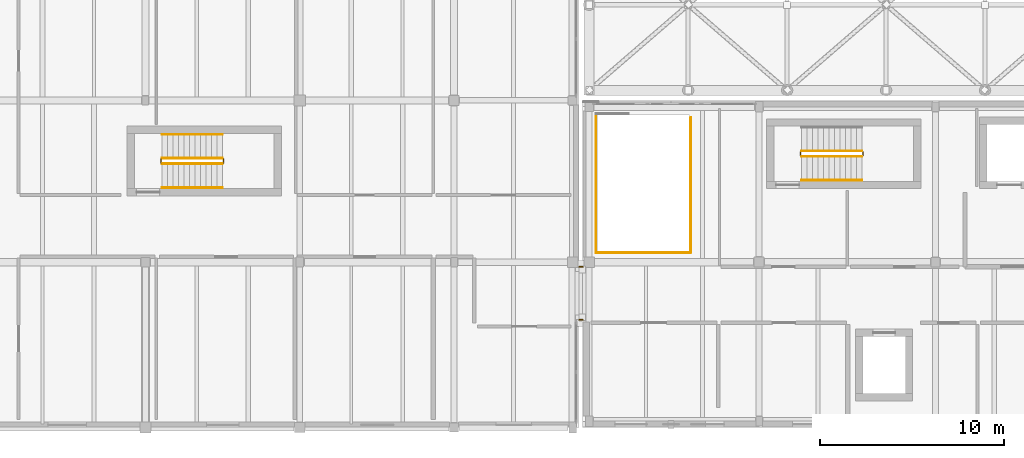
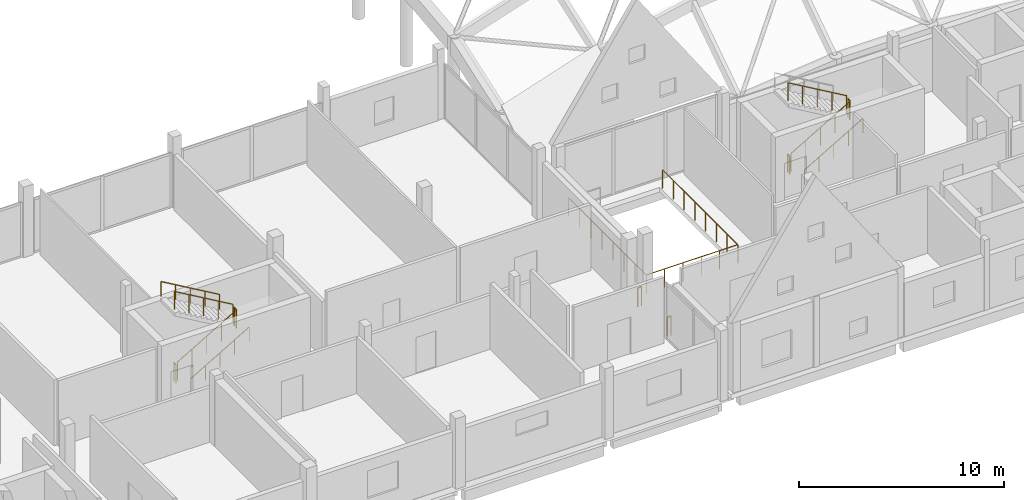
# One storey, part 33 of 41: 16 railings.
"""IFC4 building model written with IfcOpenShell, lengths in metres."""

from ifc_helpers import new_model, si_unit, direction, frame, origin, origin_2d, place, context, subcontext, project, spatial, circle, extrude, material, type_object, element, save


model = new_model("IFC4")

# Units and contexts
model_context = context("Model", 3, precision=1e-05, world=origin(), true_north=direction((0.0, 1.0)))
body_context = subcontext(model_context, "Body", "Model", "MODEL_VIEW")
ifc_project = project(units=[si_unit("LENGTHUNIT", "METRE"), si_unit("AREAUNIT", "SQUARE_METRE"), si_unit("VOLUMEUNIT", "CUBIC_METRE"), si_unit("PLANEANGLEUNIT", "RADIAN"), si_unit("MASSUNIT", "GRAM", prefix="KILO")], contexts=[model_context])

# Site, building, storey
site_placement = place(None, origin())
site = spatial("IfcSite", under=ifc_project, at=site_placement, CompositionType="ELEMENT")
building_placement = place(site_placement, origin())
building = spatial("IfcBuilding", under=site, at=building_placement, Name="Birchvale Park Specialist Clinic", CompositionType="ELEMENT")
storey_placement = place(building_placement, frame((0.0, 0.0, 9.60009765625)))
storey = spatial("IfcBuildingStorey", under=building, at=storey_placement, Name="L02", CompositionType="ELEMENT", Elevation=9.60009765625)

# Railings
ifc_material_1 = material(Name="Brushed stainless steel and laminated glass balustrade", Category="steel")
railing_type_1 = type_object("IfcRailingType", Name="RL-BAL1", PredefinedType="BALUSTRADE", material=ifc_material_1)
railing_1_placement = place(storey_placement, frame((52.52001953125, 26.320068359375, 0.0)))
element("IfcRailing", 1, at=railing_1_placement, inside=storey, type_object=railing_type_1, Name="V4 L02 atrium void balustrade 25", PredefinedType="BALUSTRADE", context=body_context, shape_type="SweptSolid", body=[
    extrude(circle(Radius=0.02392578125, at=origin_2d()), frame((0.0, 0.0, 1.09619140625), z_axis=(1.0, 0.0, 0.0), x_axis=(0.0, 1.0, 0.0)), (0.0, 0.0, 1.0), 5.159912109375),
    extrude(circle(Radius=0.02099609375, at=origin_2d()), origin(), (0.0, 0.0, 1.0), 1.072021484375),
    extrude(circle(Radius=0.02099609375, at=origin_2d()), frame((1.031982421875, 0.0, 0.0)), (0.0, 0.0, 1.0), 1.072021484375),
    extrude(circle(Radius=0.02099609375, at=origin_2d()), frame((2.06396484375, 0.0, 0.0)), (0.0, 0.0, 1.0), 1.072021484375),
    extrude(circle(Radius=0.02099609375, at=origin_2d()), frame((3.095947265625, 0.0, 0.0)), (0.0, 0.0, 1.0), 1.072021484375),
    extrude(circle(Radius=0.02099609375, at=origin_2d()), frame((4.1279296875, 0.0, 0.0)), (0.0, 0.0, 1.0), 1.072021484375),
    extrude(circle(Radius=0.02099609375, at=origin_2d()), frame((5.159912109375, 0.0, 0.0)), (0.0, 0.0, 1.0), 1.072021484375),
])
railing_2_placement = place(storey_placement, frame((57.679931640625, 26.320068359375, 0.0)))
element("IfcRailing", 2, at=railing_2_placement, inside=storey, type_object=railing_type_1, Name="V4 L02 atrium void balustrade 26", PredefinedType="BALUSTRADE", context=body_context, shape_type="SweptSolid", body=[
    extrude(circle(Radius=0.02392578125, at=origin_2d()), frame((0.0, 0.0, 1.09619140625), z_axis=(0.0, 1.0, 0.0), x_axis=(-1.0, 0.0, 0.0)), (0.0, 0.0, 1.0), 7.3349609375),
    extrude(circle(Radius=0.02099609375, at=origin_2d()), origin(), (0.0, 0.0, 1.0), 1.072021484375),
    extrude(circle(Radius=0.02099609375, at=origin_2d()), frame((0.0, 1.0478515625, 0.0)), (0.0, 0.0, 1.0), 1.072021484375),
    extrude(circle(Radius=0.02099609375, at=origin_2d()), frame((0.0, 2.095703125, 0.0)), (0.0, 0.0, 1.0), 1.072021484375),
    extrude(circle(Radius=0.02099609375, at=origin_2d()), frame((0.0, 3.1435546875, 0.0)), (0.0, 0.0, 1.0), 1.072021484375),
    extrude(circle(Radius=0.02099609375, at=origin_2d()), frame((0.0, 4.19140625, 0.0)), (0.0, 0.0, 1.0), 1.072021484375),
    extrude(circle(Radius=0.02099609375, at=origin_2d()), frame((0.0, 5.2392578125, 0.0)), (0.0, 0.0, 1.0), 1.072021484375),
    extrude(circle(Radius=0.02099609375, at=origin_2d()), frame((0.0, 6.287109375, 0.0)), (0.0, 0.0, 1.0), 1.072021484375),
    extrude(circle(Radius=0.02099609375, at=origin_2d()), frame((0.0, 7.3349609375, 0.0)), (0.0, 0.0, 1.0), 1.072021484375),
])
railing_3_placement = place(storey_placement, frame((52.52001953125, 33.8798828125, 0.0)))
element("IfcRailing", 3, at=railing_3_placement, inside=storey, type_object=railing_type_1, Name="V4 L02 atrium void balustrade 28", PredefinedType="BALUSTRADE", context=body_context, shape_type="SweptSolid", body=[
    extrude(circle(Radius=0.02392578125, at=origin_2d()), frame((0.0, 0.0, 1.09619140625), z_axis=(0.0, -1.0, 0.0), x_axis=(1.0, 0.0, 0.0)), (0.0, 0.0, 1.0), 7.559814453125),
    extrude(circle(Radius=0.02099609375, at=origin_2d()), origin(), (0.0, 0.0, 1.0), 1.072021484375),
    extrude(circle(Radius=0.02099609375, at=origin_2d()), frame((0.0, -1.080078125, 0.0)), (0.0, 0.0, 1.0), 1.072021484375),
    extrude(circle(Radius=0.02099609375, at=origin_2d()), frame((0.0, -2.159912109375, 0.0)), (0.0, 0.0, 1.0), 1.072021484375),
    extrude(circle(Radius=0.02099609375, at=origin_2d()), frame((0.0, -3.239990234375, 0.0)), (0.0, 0.0, 1.0), 1.072021484375),
    extrude(circle(Radius=0.02099609375, at=origin_2d()), frame((0.0, -4.31982421875, 0.0)), (0.0, 0.0, 1.0), 1.072021484375),
    extrude(circle(Radius=0.02099609375, at=origin_2d()), frame((0.0, -5.39990234375, 0.0)), (0.0, 0.0, 1.0), 1.072021484375),
    extrude(circle(Radius=0.02099609375, at=origin_2d()), frame((0.0, -6.479736328125, 0.0)), (0.0, 0.0, 1.0), 1.072021484375),
    extrude(circle(Radius=0.02099609375, at=origin_2d()), frame((0.0, -7.559814453125, 0.0)), (0.0, 0.0, 1.0), 1.072021484375),
])
railing_type_2 = type_object("IfcRailingType", Name="RL-BAL2", PredefinedType="BALUSTRADE", material=ifc_material_1)
for number, where, name in (
    (4, (51.60009765625, 22.659912109375, 0.0), "L02 seismic joint bridge guard BRG-1.3"),
    (5, (51.60009765625, 25.5400390625, 0.0), "L02 seismic joint bridge guard BRG-1.4"),
):
    element("IfcRailing", number, at=place(storey_placement, frame(where)), inside=storey, type_object=railing_type_2, Name=name, PredefinedType="BALUSTRADE", context=body_context, shape_type="SweptSolid", body=[
        extrude(circle(Radius=0.02392578125, at=origin_2d()), frame((0.0, 0.0, 1.1259765625), z_axis=(1.0, 0.0, 0.0), x_axis=(0.0, 1.0, 0.0)), (0.0, 0.0, 1.0), 0.199951171875),
        extrude(circle(Radius=0.02099609375, at=origin_2d()), origin(), (0.0, 0.0, 1.0), 1.101806640625),
        extrude(circle(Radius=0.02099609375, at=origin_2d()), frame((0.199951171875, 0.0, 0.0)), (0.0, 0.0, 1.0), 1.101806640625),
    ])
ifc_material_2 = material(Name="Brushed stainless steel guard railing", Category="steel")
railing_type_3 = type_object("IfcRailingType", Name="RL-GRD1", PredefinedType="GUARDRAIL", material=ifc_material_2)
railing_4_placement = place(storey_placement, frame((28.89990234375, 31.14990234375, 0.1748046875)))
element("IfcRailing", 6, at=railing_4_placement, inside=storey, type_object=railing_type_3, Name="L02 ST2 stair guard 1", PredefinedType="GUARDRAIL", context=body_context, shape_type="SweptSolid", body=[
    extrude(circle(Radius=0.02392578125, at=origin_2d()), frame((0.0, 0.0, 1.076171875), z_axis=(0.863776583165, 0.0, 0.503874998761), x_axis=(0.0, 1.0, 0.0)), (0.0, 0.0, 1.0), 3.820556640625),
    extrude(circle(Radius=0.02099609375, at=origin_2d()), origin(), (0.0, 0.0, 1.0), 1.052001953125),
    extrude(circle(Radius=0.02099609375, at=origin_2d()), frame((0.824951171875, 0.0, 0.481201171875)), (0.0, 0.0, 1.0), 1.052001953125),
    extrude(circle(Radius=0.02099609375, at=origin_2d()), frame((1.64990234375, 0.0, 0.96240234375)), (0.0, 0.0, 1.0), 1.052001953125),
    extrude(circle(Radius=0.02099609375, at=origin_2d()), frame((2.47509765625, 0.0, 1.44384765625)), (0.0, 0.0, 1.0), 1.052001953125),
    extrude(circle(Radius=0.02099609375, at=origin_2d()), frame((3.300048828125, 0.0, 1.925048828125)), (0.0, 0.0, 1.0), 1.052001953125),
])
railing_5_placement = place(storey_placement, frame((32.25, 31.199951171875, 2.099853515625)))
element("IfcRailing", 7, at=railing_5_placement, inside=storey, type_object=railing_type_3, Name="L02 ST2 stair guard 2", PredefinedType="GUARDRAIL", context=body_context, shape_type="SweptSolid", body=[
    extrude(circle(Radius=0.02392578125, at=origin_2d()), frame((0.0, 0.0, 1.076171875), z_axis=(0.0, 1.0, 0.0), x_axis=(-1.0, 0.0, 0.0)), (0.0, 0.0, 1.0), 0.199951171875),
    extrude(circle(Radius=0.02099609375, at=origin_2d()), origin(), (0.0, 0.0, 1.0), 1.052001953125),
    extrude(circle(Radius=0.02099609375, at=origin_2d()), frame((0.0, 0.199951171875, 0.0)), (0.0, 0.0, 1.0), 1.052001953125),
])
railing_6_placement = place(storey_placement, frame((32.199951171875, 31.449951171875, 2.27490234375)))
element("IfcRailing", 8, at=railing_6_placement, inside=storey, type_object=railing_type_3, Name="L02 ST2 stair guard 3", PredefinedType="GUARDRAIL", context=body_context, shape_type="SweptSolid", body=[
    extrude(circle(Radius=0.02392578125, at=origin_2d()), frame((0.0, 0.0, 1.076171875), z_axis=(-0.863776583165, 0.0, 0.503874998761), x_axis=(0.0, -1.0, 0.0)), (0.0, 0.0, 1.0), 3.820556640625),
    extrude(circle(Radius=0.02099609375, at=origin_2d()), origin(), (0.0, 0.0, 1.0), 1.052001953125),
    extrude(circle(Radius=0.02099609375, at=origin_2d()), frame((-0.824951171875, 0.0, 0.481201171875)), (0.0, 0.0, 1.0), 1.052001953125),
    extrude(circle(Radius=0.02099609375, at=origin_2d()), frame((-1.64990234375, 0.0, 0.96240234375)), (0.0, 0.0, 1.0), 1.052001953125),
    extrude(circle(Radius=0.02099609375, at=origin_2d()), frame((-2.47509765625, 0.0, 1.44384765625)), (0.0, 0.0, 1.0), 1.052001953125),
    extrude(circle(Radius=0.02099609375, at=origin_2d()), frame((-3.300048828125, 0.0, 1.925048828125)), (0.0, 0.0, 1.0), 1.052001953125),
])
railing_7_placement = place(storey_placement, frame((28.85009765625, 31.199951171875, 0.0)))
element("IfcRailing", 9, at=railing_7_placement, inside=storey, type_object=railing_type_3, Name="L02 ST2 stair guard 4", PredefinedType="GUARDRAIL", context=body_context, shape_type="SweptSolid", body=[
    extrude(circle(Radius=0.02392578125, at=origin_2d()), frame((0.0, 0.0, 1.076171875), z_axis=(0.0, 1.0, 0.0), x_axis=(-1.0, 0.0, 0.0)), (0.0, 0.0, 1.0), 0.199951171875),
    extrude(circle(Radius=0.02099609375, at=origin_2d()), origin(), (0.0, 0.0, 1.0), 1.052001953125),
    extrude(circle(Radius=0.02099609375, at=origin_2d()), frame((0.0, 0.199951171875, 0.0)), (0.0, 0.0, 1.0), 1.052001953125),
])
railing_8_placement = place(storey_placement, frame((63.699951171875, 31.550048828125, 0.1748046875)))
element("IfcRailing", 10, at=railing_8_placement, inside=storey, type_object=railing_type_3, Name="L02 ST4 stair guard 1", PredefinedType="GUARDRAIL", context=body_context, shape_type="SweptSolid", body=[
    extrude(circle(Radius=0.02392578125, at=origin_2d()), frame((0.0, 0.0, 1.076171875), z_axis=(0.863776583165, 0.0, 0.503874998761), x_axis=(0.0, 1.0, 0.0)), (0.0, 0.0, 1.0), 3.820556640625),
    extrude(circle(Radius=0.02099609375, at=origin_2d()), origin(), (0.0, 0.0, 1.0), 1.052001953125),
    extrude(circle(Radius=0.02099609375, at=origin_2d()), frame((0.824951171875, 0.0, 0.481201171875)), (0.0, 0.0, 1.0), 1.052001953125),
    extrude(circle(Radius=0.02099609375, at=origin_2d()), frame((1.64990234375, 0.0, 0.96240234375)), (0.0, 0.0, 1.0), 1.052001953125),
    extrude(circle(Radius=0.02099609375, at=origin_2d()), frame((2.47509765625, 0.0, 1.44384765625)), (0.0, 0.0, 1.0), 1.052001953125),
    extrude(circle(Radius=0.02099609375, at=origin_2d()), frame((3.300048828125, 0.0, 1.925048828125)), (0.0, 0.0, 1.0), 1.052001953125),
])
railing_9_placement = place(storey_placement, frame((67.050048828125, 31.60009765625, 2.099853515625)))
element("IfcRailing", 11, at=railing_9_placement, inside=storey, type_object=railing_type_3, Name="L02 ST4 stair guard 2", PredefinedType="GUARDRAIL", context=body_context, shape_type="SweptSolid", body=[
    extrude(circle(Radius=0.02392578125, at=origin_2d()), frame((0.0, 0.0, 1.076171875), z_axis=(0.0, 1.0, 0.0), x_axis=(-1.0, 0.0, 0.0)), (0.0, 0.0, 1.0), 0.199951171875),
    extrude(circle(Radius=0.02099609375, at=origin_2d()), origin(), (0.0, 0.0, 1.0), 1.052001953125),
    extrude(circle(Radius=0.02099609375, at=origin_2d()), frame((0.0, 0.199951171875, 0.0)), (0.0, 0.0, 1.0), 1.052001953125),
])
railing_10_placement = place(storey_placement, frame((67.0, 31.85009765625, 2.27490234375)))
element("IfcRailing", 12, at=railing_10_placement, inside=storey, type_object=railing_type_3, Name="L02 ST4 stair guard 3", PredefinedType="GUARDRAIL", context=body_context, shape_type="SweptSolid", body=[
    extrude(circle(Radius=0.02392578125, at=origin_2d()), frame((0.0, 0.0, 1.076171875), z_axis=(-0.863776583165, 0.0, 0.503874998761), x_axis=(0.0, -1.0, 0.0)), (0.0, 0.0, 1.0), 3.820556640625),
    extrude(circle(Radius=0.02099609375, at=origin_2d()), origin(), (0.0, 0.0, 1.0), 1.052001953125),
    extrude(circle(Radius=0.02099609375, at=origin_2d()), frame((-0.824951171875, 0.0, 0.481201171875)), (0.0, 0.0, 1.0), 1.052001953125),
    extrude(circle(Radius=0.02099609375, at=origin_2d()), frame((-1.64990234375, 0.0, 0.96240234375)), (0.0, 0.0, 1.0), 1.052001953125),
    extrude(circle(Radius=0.02099609375, at=origin_2d()), frame((-2.47509765625, 0.0, 1.44384765625)), (0.0, 0.0, 1.0), 1.052001953125),
    extrude(circle(Radius=0.02099609375, at=origin_2d()), frame((-3.300048828125, 0.0, 1.925048828125)), (0.0, 0.0, 1.0), 1.052001953125),
])
railing_11_placement = place(storey_placement, frame((63.64990234375, 31.60009765625, 0.0)))
element("IfcRailing", 13, at=railing_11_placement, inside=storey, type_object=railing_type_3, Name="L02 ST4 stair guard 4", PredefinedType="GUARDRAIL", context=body_context, shape_type="SweptSolid", body=[
    extrude(circle(Radius=0.02392578125, at=origin_2d()), frame((0.0, 0.0, 1.076171875), z_axis=(0.0, 1.0, 0.0), x_axis=(-1.0, 0.0, 0.0)), (0.0, 0.0, 1.0), 0.199951171875),
    extrude(circle(Radius=0.02099609375, at=origin_2d()), origin(), (0.0, 0.0, 1.0), 1.052001953125),
    extrude(circle(Radius=0.02099609375, at=origin_2d()), frame((0.0, 0.199951171875, 0.0)), (0.0, 0.0, 1.0), 1.052001953125),
])
ifc_material_3 = material(Name="Anodised aluminium handrail", Category="aluminium")
railing_type_4 = type_object("IfcRailingType", Name="RL-HND1", PredefinedType="HANDRAIL", material=ifc_material_3)
railing_12_placement = place(storey_placement, frame((28.89990234375, 29.85009765625, 0.1748046875)))
element("IfcRailing", 14, at=railing_12_placement, inside=storey, type_object=railing_type_4, Name="L02 ST2 stair handrail 1", PredefinedType="HANDRAIL", context=body_context, shape_type="SweptSolid", body=[
    extrude(circle(Radius=0.02392578125, at=origin_2d()), frame((0.0, 0.0, 0.8759765625), z_axis=(0.863776583165, 0.0, 0.503874998761), x_axis=(0.0, 1.0, 0.0)), (0.0, 0.0, 1.0), 3.820556640625),
    extrude(circle(Radius=0.02099609375, at=origin_2d()), origin(), (0.0, 0.0, 1.0), 0.851806640625),
    extrude(circle(Radius=0.02099609375, at=origin_2d()), frame((0.824951171875, 0.0, 0.481201171875)), (0.0, 0.0, 1.0), 0.851806640625),
    extrude(circle(Radius=0.02099609375, at=origin_2d()), frame((1.64990234375, 0.0, 0.96240234375)), (0.0, 0.0, 1.0), 0.851806640625),
    extrude(circle(Radius=0.02099609375, at=origin_2d()), frame((2.47509765625, 0.0, 1.44384765625)), (0.0, 0.0, 1.0), 0.851806640625),
    extrude(circle(Radius=0.02099609375, at=origin_2d()), frame((3.300048828125, 0.0, 1.925048828125)), (0.0, 0.0, 1.0), 0.851806640625),
])
railing_13_placement = place(storey_placement, frame((32.199951171875, 32.75, 2.27490234375)))
element("IfcRailing", 15, at=railing_13_placement, inside=storey, type_object=railing_type_4, Name="L02 ST2 stair handrail 2", PredefinedType="HANDRAIL", context=body_context, shape_type="SweptSolid", body=[
    extrude(circle(Radius=0.02392578125, at=origin_2d()), frame((0.0, 0.0, 0.8759765625), z_axis=(-0.863776583165, 0.0, 0.503874998761), x_axis=(0.0, -1.0, 0.0)), (0.0, 0.0, 1.0), 3.820556640625),
    extrude(circle(Radius=0.02099609375, at=origin_2d()), origin(), (0.0, 0.0, 1.0), 0.851806640625),
    extrude(circle(Radius=0.02099609375, at=origin_2d()), frame((-0.824951171875, 0.0, 0.481201171875)), (0.0, 0.0, 1.0), 0.851806640625),
    extrude(circle(Radius=0.02099609375, at=origin_2d()), frame((-1.64990234375, 0.0, 0.96240234375)), (0.0, 0.0, 1.0), 0.851806640625),
    extrude(circle(Radius=0.02099609375, at=origin_2d()), frame((-2.47509765625, 0.0, 1.44384765625)), (0.0, 0.0, 1.0), 0.851806640625),
    extrude(circle(Radius=0.02099609375, at=origin_2d()), frame((-3.300048828125, 0.0, 1.925048828125)), (0.0, 0.0, 1.0), 0.851806640625),
])
railing_14_placement = place(storey_placement, frame((63.699951171875, 30.25, 0.1748046875)))
element("IfcRailing", 16, at=railing_14_placement, inside=storey, type_object=railing_type_4, Name="L02 ST4 stair handrail 1", PredefinedType="HANDRAIL", context=body_context, shape_type="SweptSolid", body=[
    extrude(circle(Radius=0.02392578125, at=origin_2d()), frame((0.0, 0.0, 0.8759765625), z_axis=(0.863776583165, 0.0, 0.503874998761), x_axis=(0.0, 1.0, 0.0)), (0.0, 0.0, 1.0), 3.820556640625),
    extrude(circle(Radius=0.02099609375, at=origin_2d()), origin(), (0.0, 0.0, 1.0), 0.851806640625),
    extrude(circle(Radius=0.02099609375, at=origin_2d()), frame((0.824951171875, 0.0, 0.481201171875)), (0.0, 0.0, 1.0), 0.851806640625),
    extrude(circle(Radius=0.02099609375, at=origin_2d()), frame((1.64990234375, 0.0, 0.96240234375)), (0.0, 0.0, 1.0), 0.851806640625),
    extrude(circle(Radius=0.02099609375, at=origin_2d()), frame((2.47509765625, 0.0, 1.44384765625)), (0.0, 0.0, 1.0), 0.851806640625),
    extrude(circle(Radius=0.02099609375, at=origin_2d()), frame((3.300048828125, 0.0, 1.925048828125)), (0.0, 0.0, 1.0), 0.851806640625),
])

save(model, "model.ifc")
